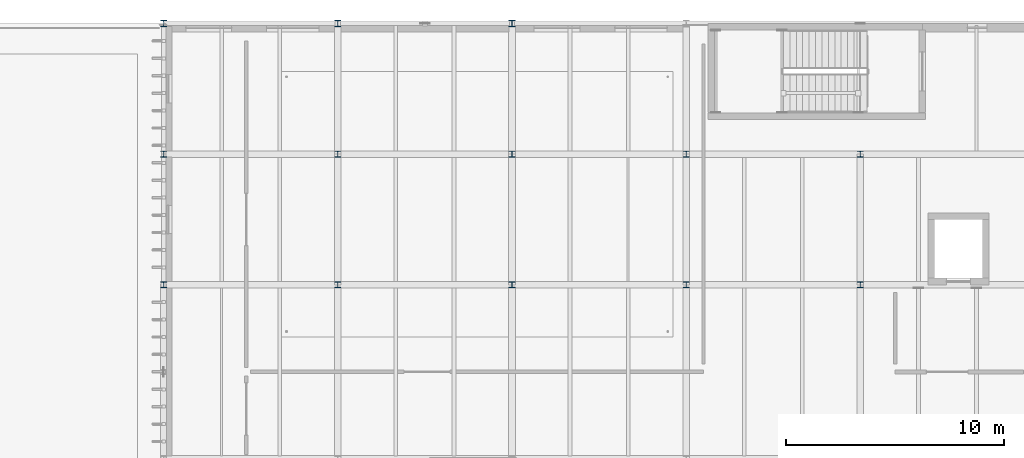
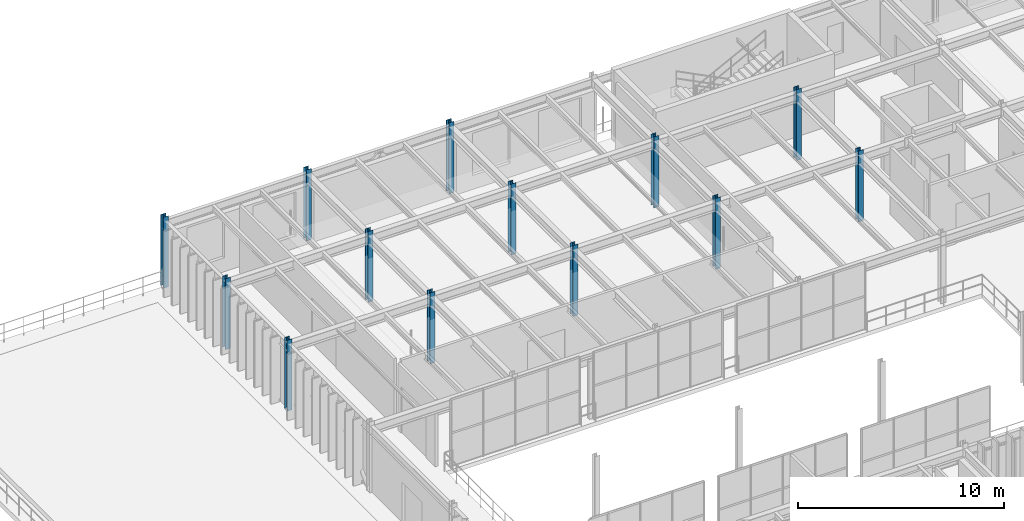
# One storey, part 9 of 122: 13 columns.
"""IFC4 building model written with IfcOpenShell, lengths in metres."""

from ifc_helpers import new_model, si_unit, direction, frame, origin, origin_2d, place, context, subcontext, project, spatial, i_section, extrude, material, material_profile, profile_set, type_object, element, save


model = new_model("IFC4")

# Units and contexts
model_context = context("Model", 3, precision=1e-05, world=origin(), true_north=direction((0.0, 1.0)))
body_context = subcontext(model_context, "Body", "Model", "MODEL_VIEW")
ifc_project = project(units=[si_unit("LENGTHUNIT", "METRE"), si_unit("AREAUNIT", "SQUARE_METRE"), si_unit("VOLUMEUNIT", "CUBIC_METRE"), si_unit("PLANEANGLEUNIT", "RADIAN"), si_unit("MASSUNIT", "GRAM", prefix="KILO")], contexts=[model_context])

# Site, building, storey
site_placement = place(None, origin())
site = spatial("IfcSite", under=ifc_project, at=site_placement, CompositionType="ELEMENT")
building_placement = place(site_placement, origin())
building = spatial("IfcBuilding", under=site, at=building_placement, Name="Sundkrona Museum", CompositionType="ELEMENT")
storey_placement = place(building_placement, frame((0.0, 0.0, 5.39990234375)))
storey = spatial("IfcBuildingStorey", under=building, at=storey_placement, Name="L01", CompositionType="ELEMENT", Elevation=5.39990234375)

# Columns
ifc_material = material(Name="Steel S355J2", Category="steel")
ifc_material_profile = material_profile(ifc_material, i_section(OverallWidth=0.280029296875, OverallDepth=0.280029296875, WebThickness=0.010498046875, FlangeThickness=0.01806640625, FilletRadius=0.02392578125, at=origin_2d()), Name="HEB 280")
ifc_profile_set = profile_set([ifc_material_profile], Name="Steel S355J2")
column_type = type_object("IfcColumnType", Name="C-HEB280", PredefinedType="COLUMN", material=ifc_profile_set)
for number, where, z_axis, x_axis, name in (
    (1, (16.0, 102.0, 0.0), (0.0, 0.0, 1.0), (1.0, 0.0, 0.0), "L01 Column P/3"),
    (2, (16.0, 108.0, 0.0), (0.0, 0.0, 1.0), (1.0, 0.0, 0.0), "L01 Column Q/3"),
    (3, (16.0, 114.0, 0.0), (0.0, 0.0, 1.0), (1.0, 0.0, 0.0), "L01 Column R/3"),
    (4, (24.0, 102.0, 0.0), (0.0, 0.0, 1.0), (1.0, 0.0, 0.0), "L01 Column P/4"),
    (5, (24.0, 108.0, 0.0), (0.0, 0.0, 1.0), (1.0, 0.0, 0.0), "L01 Column Q/4"),
    (6, (24.0, 114.0, 0.0), (0.0, 0.0, 1.0), (1.0, 0.0, 0.0), "L01 Column R/4"),
    (7, (32.0, 102.0, 0.0), (0.0, 0.0, 1.0), (1.0, 0.0, 0.0), "L01 Column P/5"),
    (8, (32.0, 108.0, 0.0), (0.0, 0.0, 1.0), (1.0, 0.0, 0.0), "L01 Column Q/5"),
    (9, (32.0, 114.0, 0.0), (0.0, 0.0, 1.0), (1.0, 0.0, 0.0), "L01 Column R/5"),
    (10, (40.0, 102.0, 0.0), (0.0, 0.0, 1.0), (1.0, 0.0, 0.0), "L01 Column P/6"),
    (11, (40.0, 108.0, 0.0), (0.0, 0.0, 1.0), (1.0, 0.0, 0.0), "L01 Column Q/6"),
    (12, (48.0, 102.0, 0.0), (0.0, 0.0, 1.0), (1.0, 0.0, 0.0), "L01 Column P/7"),
    (13, (48.0, 108.0, 0.0), (0.0, 0.0, 1.0), (1.0, 0.0, 0.0), "L01 Column Q/7"),
):
    element("IfcColumn", number, at=place(storey_placement, frame(where, z_axis=z_axis, x_axis=x_axis)), inside=storey, type_object=column_type, Name=name, PredefinedType="COLUMN", context=body_context, shape_type="SweptSolid", body=[
        extrude(i_section(OverallWidth=0.280029296875, OverallDepth=0.280029296875, WebThickness=0.010498046875, FlangeThickness=0.01806640625, FilletRadius=0.02392578125, at=origin_2d()), origin(), (0.0, 0.0, 1.0), 4.2001953125),
    ])

save(model, "model.ifc")
